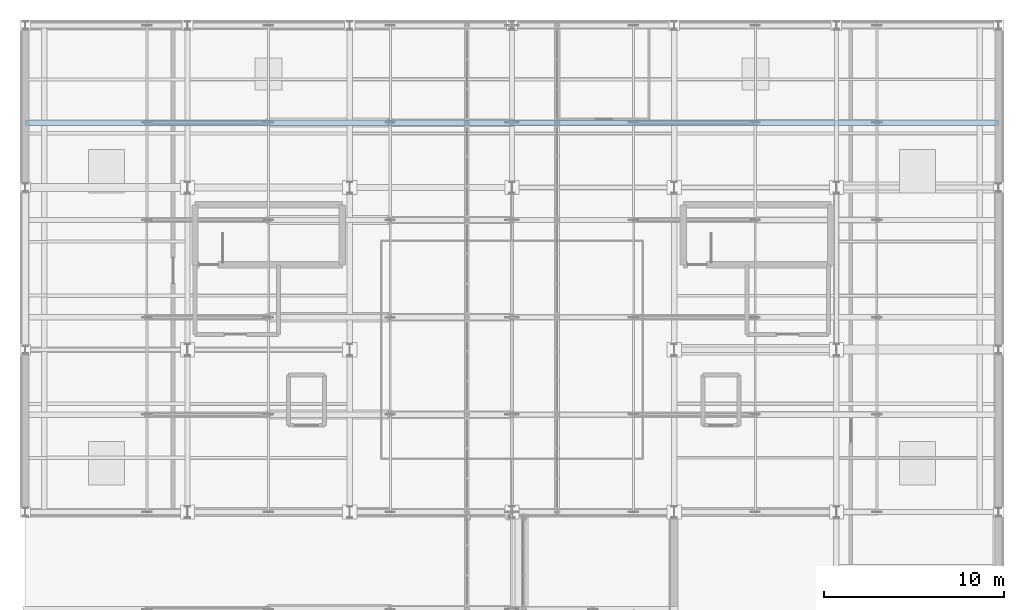
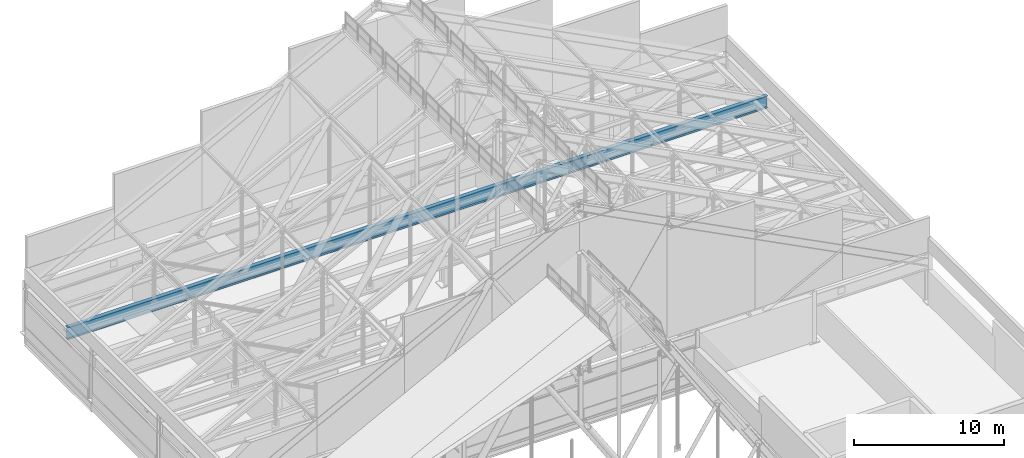
# One storey, part 57 of 84: 1 beam.
"""IFC4 building model written with IfcOpenShell, lengths in metres."""

from ifc_helpers import new_model, si_unit, direction, frame, origin, origin_2d, place, context, subcontext, project, spatial, i_section, extrude, material, material_profile, profile_set, type_object, element, save


model = new_model("IFC4")

# Units and contexts
model_context = context("Model", 3, precision=1e-05, world=origin(), true_north=direction((0.0, 1.0)))
body_context = subcontext(model_context, "Body", "Model", "MODEL_VIEW")
ifc_project = project(units=[si_unit("LENGTHUNIT", "METRE"), si_unit("AREAUNIT", "SQUARE_METRE"), si_unit("VOLUMEUNIT", "CUBIC_METRE"), si_unit("PLANEANGLEUNIT", "RADIAN"), si_unit("MASSUNIT", "GRAM", prefix="KILO")], contexts=[model_context])

# Site, building, storey
site_placement = place(None, origin())
site = spatial("IfcSite", under=ifc_project, at=site_placement, CompositionType="ELEMENT")
building_placement = place(site_placement, origin())
building = spatial("IfcBuilding", under=site, at=building_placement, Name="Sundgate Opera House", CompositionType="ELEMENT")
storey_placement = place(building_placement, frame((0.0, 0.0, 30.60009765625)))
storey = spatial("IfcBuildingStorey", under=building, at=storey_placement, Name="L06", CompositionType="ELEMENT", Elevation=30.60009765625)

# Beam
ifc_material = material(Name="Steel S355ML", Category="steel")
ifc_material_profile = material_profile(ifc_material, i_section(OverallWidth=0.300048828125, OverallDepth=1.0, WebThickness=0.01904296875, FlangeThickness=0.035888671875, at=origin_2d()), Name="HEB 1000")
ifc_profile_set = profile_set([ifc_material_profile], Name="Steel S355ML")
beam_type = type_object("IfcBeamType", Name="BM-TR-HEB1000", PredefinedType="BEAM", material=ifc_profile_set)
beam_placement = place(storey_placement, frame((27.0, 81.60009765625, 3.289794921875), z_axis=(1.0, 0.0, 0.0), x_axis=(0.0, 1.0, 0.0)))
element("IfcBeam", 1, at=beam_placement, inside=storey, type_object=beam_type, Name="L06 Fly-Tower Truss Continuous Tie Girder B3390", PredefinedType="BEAM", context=body_context, shape_type="SweptSolid", body=[
    extrude(i_section(OverallWidth=0.300048828125, OverallDepth=1.0, WebThickness=0.01904296875, FlangeThickness=0.035888671875, at=origin_2d()), origin(), (0.0, 0.0, 1.0), 54.0),
])

save(model, "model.ifc")
